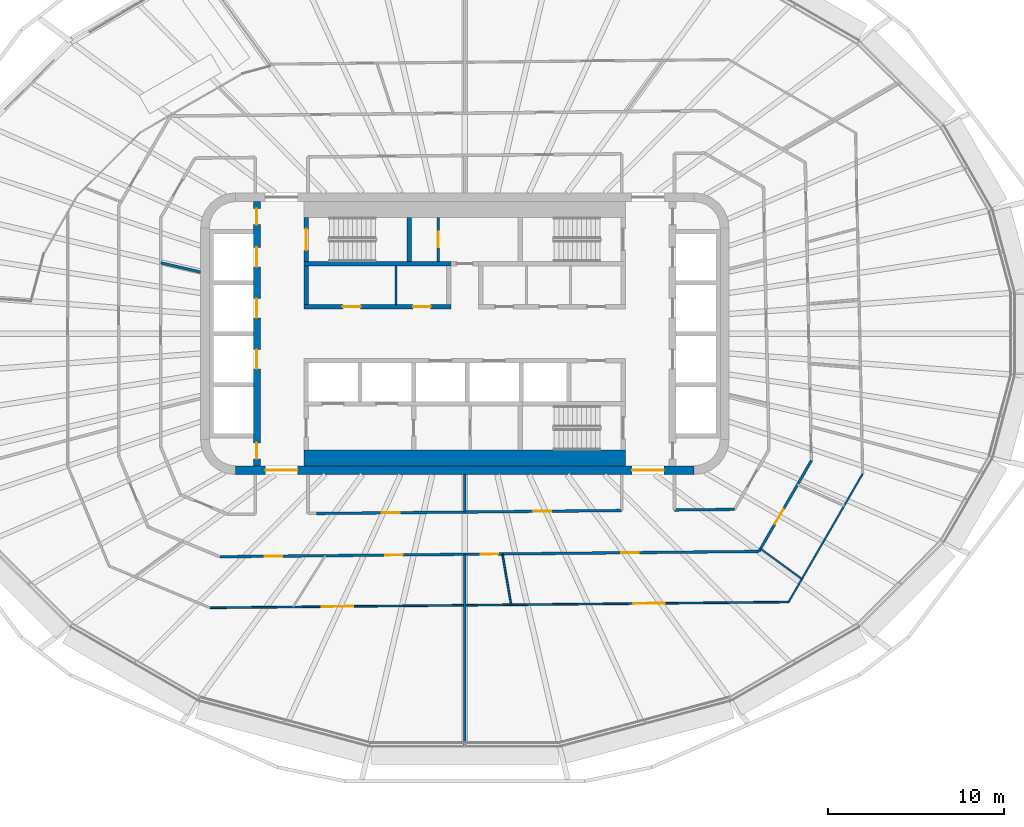
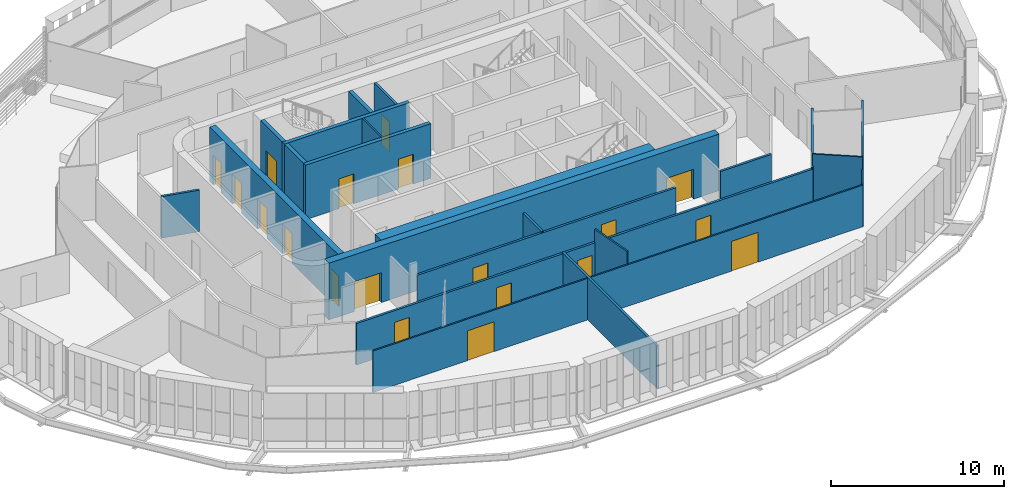
# One storey, part 12 of 23: 21 walls, 20 doors, 20 openings.
"""IFC4 building model written with IfcOpenShell, lengths in metres."""

from ifc_helpers import new_model, si_unit, direction, frame, frame_2d, origin, place, context, subcontext, project, spatial, rectangle, extrude, material, layer, layer_set, type_object, element, fill, save


model = new_model("IFC4")

# Units and contexts
model_context = context("Model", 3, precision=1e-05, world=origin(), true_north=direction((0.0, 1.0)))
body_context = subcontext(model_context, "Body", "Model", "MODEL_VIEW")
ifc_project = project(units=[si_unit("LENGTHUNIT", "METRE"), si_unit("AREAUNIT", "SQUARE_METRE"), si_unit("VOLUMEUNIT", "CUBIC_METRE"), si_unit("PLANEANGLEUNIT", "RADIAN"), si_unit("MASSUNIT", "GRAM", prefix="KILO")], contexts=[model_context])

# Site, building, storey
site_placement = place(None, origin())
site = spatial("IfcSite", under=ifc_project, at=site_placement, CompositionType="ELEMENT")
building_placement = place(site_placement, origin())
building = spatial("IfcBuilding", under=site, at=building_placement, Name="Sahrelin Media Tower", CompositionType="ELEMENT")
storey_placement = place(building_placement, frame((0.0, 0.0, 169.60009765625)))
storey = spatial("IfcBuildingStorey", under=building, at=storey_placement, Name="L35", CompositionType="ELEMENT", Elevation=169.60009765625)

# Wall, openings, doors
ifc_material_1 = material(Name="Concrete C60/75", Category="concrete")
ifc_layer_1 = layer(ifc_material_1, 0.5)
ifc_layer_set_1 = layer_set([ifc_layer_1], Name="Core wall 500")
wall_type_1 = type_object("IfcWallType", Name="Core wall 500", PredefinedType="SHEAR", material=ifc_layer_set_1)
wall_1_placement = place(storey_placement, frame((-13.0, -7.75, 0.0), z_axis=(0.0, 0.0, 1.0), x_axis=(1.0, 0.0, 0.0)))
wall_1 = element("IfcWall", 1, at=wall_1_placement, inside=storey, type_object=wall_type_1, Name="Core wall S L35", PredefinedType="SHEAR", context=body_context, shape_type="SweptSolid", body=[
    extrude(rectangle(XDim=26.0, YDim=0.5, at=frame_2d((13.0, 0.0))), origin(), (0.0, 0.0, 1.0), 4.0),
])
opening_1_placement = place(wall_1_placement, frame((1.699951171875, 0.0, 0.0)))
opening_1 = element("IfcOpeningElement", 2, at=opening_1_placement, cuts=wall_1, Name="Opening L35-D21", PredefinedType="OPENING", context=body_context, shape_type="SweptSolid", body=[
    extrude(rectangle(XDim=1.800048828125, YDim=2.10009765625, at=frame_2d((0.89990234375, 1.050048828125))), frame((0.0, 0.25, 0.0), z_axis=(0.0, -1.0, 0.0), x_axis=(1.0, 0.0, 0.0)), (0.0, 0.0, 1.0), 0.5),
])
opening_2_placement = place(wall_1_placement, frame((22.5, 0.0, 0.0)))
opening_2 = element("IfcOpeningElement", 3, at=opening_2_placement, cuts=wall_1, Name="Opening L35-D22", PredefinedType="OPENING", context=body_context, shape_type="SweptSolid", body=[
    extrude(rectangle(XDim=1.800048828125, YDim=2.10009765625, at=frame_2d((0.89990234375, 1.050048828125))), frame((0.0, 0.25, 0.0), z_axis=(0.0, -1.0, 0.0), x_axis=(1.0, 0.0, 0.0)), (0.0, 0.0, 1.0), 0.5),
])
ifc_material_2 = material(Name="Steel fire door leaf", Category="steel")
door_type_1 = type_object("IfcDoorType", Name="Lobby double door 1800 x 2100 EI 60", OperationType="DOUBLE_DOOR_SINGLE_SWING", PredefinedType="DOOR", material=ifc_material_2)
door_1_placement = place(opening_1_placement, origin())
door_1 = element("IfcDoor", 4, at=door_1_placement, inside=storey, type_object=door_type_1, Name="Lobby door", OperationType="DOUBLE_DOOR_SINGLE_SWING", OverallHeight=2.10009765625, OverallWidth=1.800048828125, PredefinedType="DOOR", context=body_context, shape_type="SweptSolid", body=[
    extrude(rectangle(XDim=1.800048828125, YDim=2.10009765625, at=frame_2d((0.89990234375, 1.050048828125))), frame((0.0, 0.02490234375, 0.0), z_axis=(0.0, -1.0, 0.0), x_axis=(1.0, 0.0, 0.0)), (0.0, 0.0, 1.0), 0.050048828125),
])
fill(opening_1, door_1)
door_2_placement = place(opening_2_placement, origin())
door_2 = element("IfcDoor", 5, at=door_2_placement, inside=storey, type_object=door_type_1, Name="Lobby door", OperationType="DOUBLE_DOOR_SINGLE_SWING", OverallHeight=2.10009765625, OverallWidth=1.800048828125, PredefinedType="DOOR", context=body_context, shape_type="SweptSolid", body=[
    extrude(rectangle(XDim=1.800048828125, YDim=2.10009765625, at=frame_2d((0.89990234375, 1.050048828125))), frame((0.0, 0.02490234375, 0.0), z_axis=(0.0, -1.0, 0.0), x_axis=(1.0, 0.0, 0.0)), (0.0, 0.0, 1.0), 0.050048828125),
])
fill(opening_2, door_2)

ifc_material_3 = material(Name="Fire-rated gypsum board partition")
ifc_layer_2 = layer(ifc_material_3, 0.25)
ifc_layer_set_2 = layer_set([ifc_layer_2], Name="Fire-rated lobby wall 250")
wall_type_2 = type_object("IfcWallType", Name="Fire-rated lobby wall 250", PredefinedType="PARTITIONING", material=ifc_layer_set_2)
wall_2_placement = place(storey_placement, frame((-9.125, 1.52490234375, 0.0), z_axis=(0.0, 0.0, 1.0), x_axis=(1.0, 0.0, 0.0)))
wall_2 = element("IfcWall", 6, at=wall_2_placement, inside=storey, type_object=wall_type_2, Name="Core lobby wall", PredefinedType="PARTITIONING", context=body_context, shape_type="SweptSolid", body=[
    extrude(rectangle(XDim=8.35009765625, YDim=0.25, at=frame_2d((4.175048828125, 0.0))), origin(), (0.0, 0.0, 1.0), 3.849853515625),
])
opening_3_placement = place(wall_2_placement, frame((2.21240234375, 0.0, 0.0)))
opening_3 = element("IfcOpeningElement", 7, at=opening_3_placement, cuts=wall_2, Name="Opening L35-D09", PredefinedType="OPENING", context=body_context, shape_type="SweptSolid", body=[
    extrude(rectangle(XDim=1.0, YDim=2.10009765625, at=frame_2d((0.5, 1.050048828125))), frame((0.0, 0.125, 0.0), z_axis=(0.0, -1.0, 0.0), x_axis=(1.0, 0.0, 0.0)), (0.0, 0.0, 1.0), 0.25),
])
opening_4_placement = place(wall_2_placement, frame((6.1875, 0.0, 0.0)))
opening_4 = element("IfcOpeningElement", 8, at=opening_4_placement, cuts=wall_2, Name="Opening L35-D10", PredefinedType="OPENING", context=body_context, shape_type="SweptSolid", body=[
    extrude(rectangle(XDim=1.0, YDim=2.10009765625, at=frame_2d((0.5, 1.050048828125))), frame((0.0, 0.125, 0.0), z_axis=(0.0, -1.0, 0.0), x_axis=(1.0, 0.0, 0.0)), (0.0, 0.0, 1.0), 0.25),
])
door_type_2 = type_object("IfcDoorType", Name="Fire door 1000 x 2100 EI 60", OperationType="NOTDEFINED", PredefinedType="DOOR", material=ifc_material_2)
door_3_placement = place(opening_3_placement, origin())
door_3 = element("IfcDoor", 9, at=door_3_placement, inside=storey, type_object=door_type_2, Name="Core room door", OperationType="SINGLE_SWING_LEFT", OverallHeight=2.10009765625, OverallWidth=1.0, PredefinedType="DOOR", context=body_context, shape_type="SweptSolid", body=[
    extrude(rectangle(XDim=1.0, YDim=2.10009765625, at=frame_2d((0.5, 1.050048828125))), frame((0.0, 0.02490234375, 0.0), z_axis=(0.0, -1.0, 0.0), x_axis=(1.0, 0.0, 0.0)), (0.0, 0.0, 1.0), 0.050048828125),
])
fill(opening_3, door_3)
door_4_placement = place(opening_4_placement, origin())
door_4 = element("IfcDoor", 10, at=door_4_placement, inside=storey, type_object=door_type_2, Name="Core room door", OperationType="SINGLE_SWING_LEFT", OverallHeight=2.10009765625, OverallWidth=1.0, PredefinedType="DOOR", context=body_context, shape_type="SweptSolid", body=[
    extrude(rectangle(XDim=1.0, YDim=2.10009765625, at=frame_2d((0.5, 1.050048828125))), frame((0.0, 0.02490234375, 0.0), z_axis=(0.0, -1.0, 0.0), x_axis=(1.0, 0.0, 0.0)), (0.0, 0.0, 1.0), 0.050048828125),
])
fill(opening_4, door_4)

# Walls
wall_3_placement = place(storey_placement, frame((-9.0, 1.64990234375, 0.0), z_axis=(0.0, 0.0, 1.0), x_axis=(0.0, 1.0, 0.0)))
element("IfcWall", 11, at=wall_3_placement, inside=storey, type_object=wall_type_2, Name="Core lobby wall", PredefinedType="PARTITIONING", context=body_context, shape_type="SweptSolid", body=[
    extrude(rectangle(XDim=2.2001953125, YDim=0.25, at=frame_2d((1.10009765625, 0.0))), origin(), (0.0, 0.0, 1.0), 3.849853515625),
])
ifc_layer_3 = layer(ifc_material_3, 0.10009765625)
ifc_layer_set_3 = layer_set([ifc_layer_3], Name="Fire-rated partition 100")
wall_type_3 = type_object("IfcWallType", Name="Fire-rated partition 100", PredefinedType="PARTITIONING", material=ifc_layer_set_3)
wall_4_placement = place(storey_placement, frame((-3.89990234375, 1.64990234375, 0.0), z_axis=(0.0, 0.0, 1.0), x_axis=(0.0, 1.0, 0.0)))
element("IfcWall", 12, at=wall_4_placement, inside=storey, type_object=wall_type_3, Name="Core room partition", PredefinedType="PARTITIONING", context=body_context, shape_type="SweptSolid", body=[
    extrude(rectangle(XDim=2.2001953125, YDim=0.10009765625, at=frame_2d((1.10009765625, 0.0))), origin(), (0.0, 0.0, 1.0), 3.849853515625),
])

# Wall, opening, door
ifc_layer_4 = layer(ifc_material_3, 0.14990234375)
ifc_layer_set_4 = layer_set([ifc_layer_4], Name="Fire-rated partition 150")
wall_type_4 = type_object("IfcWallType", Name="Fire-rated partition 150", PredefinedType="PARTITIONING", material=ifc_layer_set_4)
wall_5_placement = place(storey_placement, frame((-1.5, 4.10009765625, 0.0), z_axis=(0.0, 0.0, 1.0), x_axis=(0.0, 1.0, 0.0)))
wall_5 = element("IfcWall", 13, at=wall_5_placement, inside=storey, type_object=wall_type_4, Name="Core room fire partition", PredefinedType="PARTITIONING", context=body_context, shape_type="SweptSolid", body=[
    extrude(rectangle(XDim=2.5, YDim=0.14990234375, at=frame_2d((1.25, 0.0))), origin(), (0.0, 0.0, 1.0), 3.849853515625),
])
opening_5_placement = place(wall_5_placement, frame((0.800048828125, 0.0, 0.0)))
opening_5 = element("IfcOpeningElement", 14, at=opening_5_placement, cuts=wall_5, Name="Opening L35-D07", PredefinedType="OPENING", context=body_context, shape_type="SweptSolid", body=[
    extrude(rectangle(XDim=0.89990234375, YDim=2.10009765625, at=frame_2d((0.449951171875, 1.050048828125))), frame((0.0, 0.074951171875, 0.0), z_axis=(0.0, -1.0, 0.0), x_axis=(1.0, 0.0, 0.0)), (0.0, 0.0, 1.0), 0.14990234375),
])
door_type_3 = type_object("IfcDoorType", Name="Fire door 900 x 2100 EI 60", OperationType="NOTDEFINED", PredefinedType="DOOR", material=ifc_material_2)
door_5_placement = place(opening_5_placement, origin())
door_5 = element("IfcDoor", 15, at=door_5_placement, inside=storey, type_object=door_type_3, Name="Core room door", OperationType="SINGLE_SWING_LEFT", OverallHeight=2.10009765625, OverallWidth=0.89990234375, PredefinedType="DOOR", context=body_context, shape_type="SweptSolid", body=[
    extrude(rectangle(XDim=0.89990234375, YDim=2.10009765625, at=frame_2d((0.449951171875, 1.050048828125))), frame((0.0, 0.02490234375, 0.0), z_axis=(0.0, -1.0, 0.0), x_axis=(1.0, 0.0, 0.0)), (0.0, 0.0, 1.0), 0.050048828125),
])
fill(opening_5, door_5)

# Wall
wall_6_placement = place(storey_placement, frame((-17.25, 4.02392578125, 0.0), z_axis=(0.0, 0.0, 1.0), x_axis=(0.973873936825, -0.227089311007, 0.0)))
element("IfcWall", 16, at=wall_6_placement, inside=storey, type_object=wall_type_4, Name="Wall", PredefinedType="PARTITIONING", context=body_context, shape_type="SweptSolid", body=[
    extrude(rectangle(XDim=2.310302734375, YDim=0.14990234375, at=frame_2d((1.1552734375, 0.0))), origin(), (0.0, 0.0, 1.0), 2.927001953125),
])

# Wall, openings, doors
wall_7_placement = place(storey_placement, frame((-13.903076171875, -12.657470703125, 0.0), z_axis=(0.0, 0.0, 1.0), x_axis=(0.999951311207, 0.009867888089, 0.0)))
wall_7 = element("IfcWall", 17, at=wall_7_placement, inside=storey, type_object=wall_type_4, Name="Wall", PredefinedType="PARTITIONING", context=body_context, shape_type="SweptSolid", body=[
    extrude(rectangle(XDim=30.6044921875, YDim=0.14990234375, at=frame_2d((15.30224609375, 0.0))), origin(), (0.0, 0.0, 1.0), 2.927001953125),
])
opening_6_placement = place(wall_7_placement, frame((2.54443359375, 0.0, 0.0)))
opening_6 = element("IfcOpeningElement", 18, at=opening_6_placement, cuts=wall_7, Name="Opening L35-D34", PredefinedType="OPENING", context=body_context, shape_type="SweptSolid", body=[
    extrude(rectangle(XDim=1.0, YDim=2.10009765625, at=frame_2d((0.5, 1.050048828125))), frame((0.0, 0.074951171875, 0.0), z_axis=(0.0, -1.0, 0.0), x_axis=(1.0, 0.0, 0.0)), (0.0, 0.0, 1.0), 0.14990234375),
])
opening_7_placement = place(wall_7_placement, frame((9.393310546875, 0.0, 0.0)))
opening_7 = element("IfcOpeningElement", 19, at=opening_7_placement, cuts=wall_7, Name="Opening L35-D35", PredefinedType="OPENING", context=body_context, shape_type="SweptSolid", body=[
    extrude(rectangle(XDim=1.0, YDim=2.10009765625, at=frame_2d((0.5, 1.050048828125))), frame((0.0, 0.074951171875, 0.0), z_axis=(0.0, -1.0, 0.0), x_axis=(1.0, 0.0, 0.0)), (0.0, 0.0, 1.0), 0.14990234375),
])
opening_8_placement = place(wall_7_placement, frame((14.802001953125, 0.0, 0.0)))
opening_8 = element("IfcOpeningElement", 20, at=opening_8_placement, cuts=wall_7, Name="Opening L35-D37", PredefinedType="OPENING", context=body_context, shape_type="SweptSolid", body=[
    extrude(rectangle(XDim=1.0, YDim=2.10009765625, at=frame_2d((0.5, 1.050048828125))), frame((0.0, 0.074951171875, 0.0), z_axis=(0.0, -1.0, 0.0), x_axis=(1.0, 0.0, 0.0)), (0.0, 0.0, 1.0), 0.14990234375),
])
opening_9_placement = place(wall_7_placement, frame((22.771240234375, 0.0, 0.0)))
opening_9 = element("IfcOpeningElement", 21, at=opening_9_placement, cuts=wall_7, Name="Opening L35-D38", PredefinedType="OPENING", context=body_context, shape_type="SweptSolid", body=[
    extrude(rectangle(XDim=1.0, YDim=2.10009765625, at=frame_2d((0.5, 1.050048828125))), frame((0.0, 0.074951171875, 0.0), z_axis=(0.0, -1.0, 0.0), x_axis=(1.0, 0.0, 0.0)), (0.0, 0.0, 1.0), 0.14990234375),
])
door_6_placement = place(opening_6_placement, origin())
door_6 = element("IfcDoor", 22, at=door_6_placement, inside=storey, type_object=door_type_2, Name="Fire door", OperationType="SINGLE_SWING_RIGHT", OverallHeight=2.10009765625, OverallWidth=1.0, PredefinedType="DOOR", context=body_context, shape_type="SweptSolid", body=[
    extrude(rectangle(XDim=1.0, YDim=2.10009765625, at=frame_2d((0.5, 1.050048828125))), frame((0.0, 0.02490234375, 0.0), z_axis=(0.0, -1.0, 0.0), x_axis=(1.0, 0.0, 0.0)), (0.0, 0.0, 1.0), 0.050048828125),
])
fill(opening_6, door_6)
door_7_placement = place(opening_7_placement, origin())
door_7 = element("IfcDoor", 23, at=door_7_placement, inside=storey, type_object=door_type_2, Name="Fire door", OperationType="SINGLE_SWING_RIGHT", OverallHeight=2.10009765625, OverallWidth=1.0, PredefinedType="DOOR", context=body_context, shape_type="SweptSolid", body=[
    extrude(rectangle(XDim=1.0, YDim=2.10009765625, at=frame_2d((0.5, 1.050048828125))), frame((0.0, 0.02490234375, 0.0), z_axis=(0.0, -1.0, 0.0), x_axis=(1.0, 0.0, 0.0)), (0.0, 0.0, 1.0), 0.050048828125),
])
fill(opening_7, door_7)
door_8_placement = place(opening_8_placement, origin())
door_8 = element("IfcDoor", 24, at=door_8_placement, inside=storey, type_object=door_type_2, Name="Fire door", OperationType="SINGLE_SWING_RIGHT", OverallHeight=2.10009765625, OverallWidth=1.0, PredefinedType="DOOR", context=body_context, shape_type="SweptSolid", body=[
    extrude(rectangle(XDim=1.0, YDim=2.10009765625, at=frame_2d((0.5, 1.050048828125))), frame((0.0, 0.02490234375, 0.0), z_axis=(0.0, -1.0, 0.0), x_axis=(1.0, 0.0, 0.0)), (0.0, 0.0, 1.0), 0.050048828125),
])
fill(opening_8, door_8)
door_9_placement = place(opening_9_placement, origin())
door_9 = element("IfcDoor", 25, at=door_9_placement, inside=storey, type_object=door_type_2, Name="Fire door", OperationType="SINGLE_SWING_LEFT", OverallHeight=2.10009765625, OverallWidth=1.0, PredefinedType="DOOR", context=body_context, shape_type="SweptSolid", body=[
    extrude(rectangle(XDim=1.0, YDim=2.10009765625, at=frame_2d((0.5, 1.050048828125))), frame((0.0, 0.02490234375, 0.0), z_axis=(0.0, -1.0, 0.0), x_axis=(1.0, 0.0, 0.0)), (0.0, 0.0, 1.0), 0.050048828125),
])
fill(opening_9, door_9)

wall_8_placement = place(storey_placement, frame((-8.404052734375, -10.2041015625, 0.0), z_axis=(0.0, 0.0, 1.0), x_axis=(0.999951372491, 0.009861675993, 0.0)))
wall_8 = element("IfcWall", 26, at=wall_8_placement, inside=storey, type_object=wall_type_4, Name="Wall", PredefinedType="PARTITIONING", context=body_context, shape_type="SweptSolid", body=[
    extrude(rectangle(XDim=17.3046875, YDim=0.14990234375, at=frame_2d((8.65234375, 0.0))), origin(), (0.0, 0.0, 1.0), 2.927001953125),
])
opening_10_placement = place(wall_8_placement, frame((3.702392578125, 0.0, 0.0)))
opening_10 = element("IfcOpeningElement", 27, at=opening_10_placement, cuts=wall_8, Name="Opening L35-D23", PredefinedType="OPENING", context=body_context, shape_type="SweptSolid", body=[
    extrude(rectangle(XDim=1.0, YDim=2.10009765625, at=frame_2d((0.5, 1.050048828125))), frame((0.0, 0.074951171875, 0.0), z_axis=(0.0, -1.0, 0.0), x_axis=(1.0, 0.0, 0.0)), (0.0, 0.0, 1.0), 0.14990234375),
])
opening_11_placement = place(wall_8_placement, frame((12.304443359375, 0.0, 0.0)))
opening_11 = element("IfcOpeningElement", 28, at=opening_11_placement, cuts=wall_8, Name="Opening L35-D24", PredefinedType="OPENING", context=body_context, shape_type="SweptSolid", body=[
    extrude(rectangle(XDim=1.0, YDim=2.10009765625, at=frame_2d((0.5, 1.050048828125))), frame((0.0, 0.074951171875, 0.0), z_axis=(0.0, -1.0, 0.0), x_axis=(1.0, 0.0, 0.0)), (0.0, 0.0, 1.0), 0.14990234375),
])
door_10_placement = place(opening_10_placement, origin())
door_10 = element("IfcDoor", 29, at=door_10_placement, inside=storey, type_object=door_type_2, Name="Fire door", OperationType="SINGLE_SWING_RIGHT", OverallHeight=2.10009765625, OverallWidth=1.0, PredefinedType="DOOR", context=body_context, shape_type="SweptSolid", body=[
    extrude(rectangle(XDim=1.0, YDim=2.10009765625, at=frame_2d((0.5, 1.050048828125))), frame((0.0, 0.02490234375, 0.0), z_axis=(0.0, -1.0, 0.0), x_axis=(1.0, 0.0, 0.0)), (0.0, 0.0, 1.0), 0.050048828125),
])
fill(opening_10, door_10)
door_11_placement = place(opening_11_placement, origin())
door_11 = element("IfcDoor", 30, at=door_11_placement, inside=storey, type_object=door_type_2, Name="Fire door", OperationType="SINGLE_SWING_LEFT", OverallHeight=2.10009765625, OverallWidth=1.0, PredefinedType="DOOR", context=body_context, shape_type="SweptSolid", body=[
    extrude(rectangle(XDim=1.0, YDim=2.10009765625, at=frame_2d((0.5, 1.050048828125))), frame((0.0, 0.02490234375, 0.0), z_axis=(0.0, -1.0, 0.0), x_axis=(1.0, 0.0, 0.0)), (0.0, 0.0, 1.0), 0.050048828125),
])
fill(opening_11, door_11)

# Wall
wall_9_placement = place(storey_placement, frame((11.89990234375, -10.0029296875, 0.0), z_axis=(0.0, 0.0, 1.0), x_axis=(0.999951786456, 0.009819611121, 0.0)))
element("IfcWall", 31, at=wall_9_placement, inside=storey, type_object=wall_type_4, Name="Wall", PredefinedType="PARTITIONING", context=body_context, shape_type="SweptSolid", body=[
    extrude(rectangle(XDim=3.40625, YDim=0.14990234375, at=frame_2d((1.703125, 0.0))), origin(), (0.0, 0.0, 1.0), 2.994873046875),
])

# Wall, opening, door
wall_10_placement = place(storey_placement, frame((16.699951171875, -12.35498046875, 0.0), z_axis=(0.0, 0.0, 1.0), x_axis=(0.499651425435, 0.866226559891, 0.0)))
wall_10 = element("IfcWall", 32, at=wall_10_placement, inside=storey, type_object=wall_type_4, Name="Wall", PredefinedType="PARTITIONING", context=body_context, shape_type="SweptSolid", body=[
    extrude(rectangle(XDim=5.951416015625, YDim=0.14990234375, at=frame_2d((2.9755859375, 0.0))), origin(), (0.0, 0.0, 1.0), 2.994873046875),
])
opening_12_placement = place(wall_10_placement, frame((1.78564453125, 0.0, 0.0)))
opening_12 = element("IfcOpeningElement", 33, at=opening_12_placement, cuts=wall_10, Name="Opening L35-D39", PredefinedType="OPENING", context=body_context, shape_type="SweptSolid", body=[
    extrude(rectangle(XDim=1.0, YDim=2.10009765625, at=frame_2d((0.5, 1.050048828125))), frame((0.0, 0.074951171875, 0.0), z_axis=(0.0, -1.0, 0.0), x_axis=(1.0, 0.0, 0.0)), (0.0, 0.0, 1.0), 0.14990234375),
])
door_12_placement = place(opening_12_placement, origin())
door_12 = element("IfcDoor", 34, at=door_12_placement, inside=storey, type_object=door_type_2, Name="Fire door", OperationType="SINGLE_SWING_RIGHT", OverallHeight=2.10009765625, OverallWidth=1.0, PredefinedType="DOOR", context=body_context, shape_type="SweptSolid", body=[
    extrude(rectangle(XDim=1.0, YDim=2.10009765625, at=frame_2d((0.5, 1.050048828125))), frame((0.0, 0.02490234375, 0.0), z_axis=(0.0, -1.0, 0.0), x_axis=(1.0, 0.0, 0.0)), (0.0, 0.0, 1.0), 0.050048828125),
])
fill(opening_12, door_12)

# Walls
wall_11_placement = place(storey_placement, frame((0.0, -23.427978515625, 0.0), z_axis=(0.0, 0.0, 1.0), x_axis=(0.0, 1.0, 0.0)))
element("IfcWall", 35, at=wall_11_placement, inside=storey, type_object=wall_type_4, Name="Wall", PredefinedType="PARTITIONING", context=body_context, shape_type="SweptSolid", body=[
    extrude(rectangle(XDim=10.906982421875, YDim=0.14990234375, at=frame_2d((5.45361328125, 0.0))), origin(), (0.0, 0.0, 1.0), 2.994873046875),
])
wall_12_placement = place(storey_placement, frame((0.0, -10.12109375, 0.0), z_axis=(0.0, 0.0, 1.0), x_axis=(0.0, 1.0, 0.0)))
element("IfcWall", 36, at=wall_12_placement, inside=storey, type_object=wall_type_4, Name="Wall", PredefinedType="PARTITIONING", context=body_context, shape_type="SweptSolid", body=[
    extrude(rectangle(XDim=2.12109375, YDim=0.14990234375, at=frame_2d((1.060546875, 0.0))), origin(), (0.0, 0.0, 1.0), 2.994873046875),
])

# Wall, openings, doors
ifc_layer_5 = layer(ifc_material_1, 0.39990234375)
ifc_layer_set_5 = layer_set([ifc_layer_5], Name="Lift shaft wall 400")
wall_type_5 = type_object("IfcWallType", Name="Lift shaft wall 400", PredefinedType="SOLIDWALL", material=ifc_layer_set_5)
wall_13_placement = place(storey_placement, frame((-11.800048828125, -7.5, 0.0), z_axis=(0.0, 0.0, 1.0), x_axis=(0.0, 1.0, 0.0)))
wall_13 = element("IfcWall", 37, at=wall_13_placement, inside=storey, type_object=wall_type_5, Name="Lift shaft wall", PredefinedType="SOLIDWALL", context=body_context, shape_type="SweptSolid", body=[
    extrude(rectangle(XDim=15.0, YDim=0.39990234375, at=frame_2d((7.5, 0.0))), origin(), (0.0, 0.0, 1.0), 3.849853515625),
])
opening_13_placement = place(wall_13_placement, frame((11.300048828125, 0.0, 0.0)))
opening_13 = element("IfcOpeningElement", 38, at=opening_13_placement, cuts=wall_13, Name="Opening L35-LD-LR1", PredefinedType="OPENING", context=body_context, shape_type="SweptSolid", body=[
    extrude(rectangle(XDim=1.10009765625, YDim=2.10009765625, at=frame_2d((0.550048828125, 1.050048828125))), frame((0.0, 0.199951171875, 0.0), z_axis=(0.0, -1.0, 0.0), x_axis=(1.0, 0.0, 0.0)), (0.0, 0.0, 1.0), 0.39990234375),
])
opening_14_placement = place(wall_13_placement, frame((8.39990234375, 0.0, 0.0)))
opening_14 = element("IfcOpeningElement", 39, at=opening_14_placement, cuts=wall_13, Name="Opening L35-LD-LR2", PredefinedType="OPENING", context=body_context, shape_type="SweptSolid", body=[
    extrude(rectangle(XDim=1.10009765625, YDim=2.10009765625, at=frame_2d((0.550048828125, 1.050048828125))), frame((0.0, 0.199951171875, 0.0), z_axis=(0.0, -1.0, 0.0), x_axis=(1.0, 0.0, 0.0)), (0.0, 0.0, 1.0), 0.39990234375),
])
opening_15_placement = place(wall_13_placement, frame((5.5, 0.0, 0.0)))
opening_15 = element("IfcOpeningElement", 40, at=opening_15_placement, cuts=wall_13, Name="Opening L35-LD-LR3", PredefinedType="OPENING", context=body_context, shape_type="SweptSolid", body=[
    extrude(rectangle(XDim=1.10009765625, YDim=2.10009765625, at=frame_2d((0.550048828125, 1.050048828125))), frame((0.0, 0.199951171875, 0.0), z_axis=(0.0, -1.0, 0.0), x_axis=(1.0, 0.0, 0.0)), (0.0, 0.0, 1.0), 0.39990234375),
])
opening_16_placement = place(wall_13_placement, frame((13.696533203125, 0.0, 0.0)))
opening_16 = element("IfcOpeningElement", 41, at=opening_16_placement, cuts=wall_13, Name="Opening L35-D15", PredefinedType="OPENING", context=body_context, shape_type="SweptSolid", body=[
    extrude(rectangle(XDim=0.89990234375, YDim=2.10009765625, at=frame_2d((0.449951171875, 1.050048828125))), frame((0.0, 0.199951171875, 0.0), z_axis=(0.0, -1.0, 0.0), x_axis=(1.0, 0.0, 0.0)), (0.0, 0.0, 1.0), 0.39990234375),
])
opening_17_placement = place(wall_13_placement, frame((0.4033203125, 0.0, 0.0)))
opening_17 = element("IfcOpeningElement", 42, at=opening_17_placement, cuts=wall_13, Name="Opening L35-D16", PredefinedType="OPENING", context=body_context, shape_type="SweptSolid", body=[
    extrude(rectangle(XDim=0.89990234375, YDim=2.10009765625, at=frame_2d((0.449951171875, 1.050048828125))), frame((0.0, 0.199951171875, 0.0), z_axis=(0.0, -1.0, 0.0), x_axis=(1.0, 0.0, 0.0)), (0.0, 0.0, 1.0), 0.39990234375),
])
ifc_material_4 = material(Name="Stainless steel", Category="steel")
door_type_4 = type_object("IfcDoorType", Name="Lift landing door 1100 x 2100 EI 120", OperationType="DOUBLE_DOOR_SLIDING", PredefinedType="DOOR", material=ifc_material_4)
door_13_placement = place(opening_13_placement, origin())
door_13 = element("IfcDoor", 43, at=door_13_placement, inside=storey, type_object=door_type_4, Name="Lift landing door LR1", OperationType="DOUBLE_DOOR_SLIDING", OverallHeight=2.10009765625, OverallWidth=1.10009765625, PredefinedType="DOOR", context=body_context, shape_type="SweptSolid", body=[
    extrude(rectangle(XDim=1.10009765625, YDim=2.10009765625, at=frame_2d((0.550048828125, 1.050048828125))), frame((0.0, 0.02490234375, 0.0), z_axis=(0.0, -1.0, 0.0), x_axis=(1.0, 0.0, 0.0)), (0.0, 0.0, 1.0), 0.050048828125),
])
fill(opening_13, door_13)
door_14_placement = place(opening_14_placement, origin())
door_14 = element("IfcDoor", 44, at=door_14_placement, inside=storey, type_object=door_type_4, Name="Lift landing door LR2", OperationType="DOUBLE_DOOR_SLIDING", OverallHeight=2.10009765625, OverallWidth=1.10009765625, PredefinedType="DOOR", context=body_context, shape_type="SweptSolid", body=[
    extrude(rectangle(XDim=1.10009765625, YDim=2.10009765625, at=frame_2d((0.550048828125, 1.050048828125))), frame((0.0, 0.02490234375, 0.0), z_axis=(0.0, -1.0, 0.0), x_axis=(1.0, 0.0, 0.0)), (0.0, 0.0, 1.0), 0.050048828125),
])
fill(opening_14, door_14)
door_15_placement = place(opening_15_placement, origin())
door_15 = element("IfcDoor", 45, at=door_15_placement, inside=storey, type_object=door_type_4, Name="Lift landing door LR3", OperationType="DOUBLE_DOOR_SLIDING", OverallHeight=2.10009765625, OverallWidth=1.10009765625, PredefinedType="DOOR", context=body_context, shape_type="SweptSolid", body=[
    extrude(rectangle(XDim=1.10009765625, YDim=2.10009765625, at=frame_2d((0.550048828125, 1.050048828125))), frame((0.0, 0.02490234375, 0.0), z_axis=(0.0, -1.0, 0.0), x_axis=(1.0, 0.0, 0.0)), (0.0, 0.0, 1.0), 0.050048828125),
])
fill(opening_15, door_15)
door_type_5 = type_object("IfcDoorType", Name="Riser door 900 x 2100 EI 120", OperationType="NOTDEFINED", PredefinedType="DOOR", material=ifc_material_2)
door_16_placement = place(opening_16_placement, origin())
door_16 = element("IfcDoor", 46, at=door_16_placement, inside=storey, type_object=door_type_5, Name="Riser door", OperationType="SINGLE_SWING_LEFT", OverallHeight=2.10009765625, OverallWidth=0.89990234375, PredefinedType="DOOR", context=body_context, shape_type="SweptSolid", body=[
    extrude(rectangle(XDim=0.89990234375, YDim=2.10009765625, at=frame_2d((0.449951171875, 1.050048828125))), frame((0.0, 0.02490234375, 0.0), z_axis=(0.0, -1.0, 0.0), x_axis=(1.0, 0.0, 0.0)), (0.0, 0.0, 1.0), 0.050048828125),
])
fill(opening_16, door_16)
door_17_placement = place(opening_17_placement, origin())
door_17 = element("IfcDoor", 47, at=door_17_placement, inside=storey, type_object=door_type_5, Name="Riser door", OperationType="SINGLE_SWING_LEFT", OverallHeight=2.10009765625, OverallWidth=0.89990234375, PredefinedType="DOOR", context=body_context, shape_type="SweptSolid", body=[
    extrude(rectangle(XDim=0.89990234375, YDim=2.10009765625, at=frame_2d((0.449951171875, 1.050048828125))), frame((0.0, 0.02490234375, 0.0), z_axis=(0.0, -1.0, 0.0), x_axis=(1.0, 0.0, 0.0)), (0.0, 0.0, 1.0), 0.050048828125),
])
fill(opening_17, door_17)

# Walls
ifc_material_5 = material(Name="Gypsum board partition")
ifc_layer_6 = layer(ifc_material_5, 0.10009765625)
ifc_layer_set_6 = layer_set([ifc_layer_6], Name="Partition 100")
wall_type_6 = type_object("IfcWallType", Name="Partition 100", PredefinedType="PARTITIONING", material=ifc_layer_set_6)
wall_14_placement = place(storey_placement, frame((2.136962890625, -12.5, 0.0), z_axis=(0.0, 0.0, 1.0), x_axis=(0.16882027801, -0.985646850415, 0.0)))
element("IfcWall", 48, at=wall_14_placement, inside=storey, type_object=wall_type_6, Name="Wall", PredefinedType="PARTITIONING", context=body_context, shape_type="SweptSolid", body=[
    extrude(rectangle(XDim=2.927001953125, YDim=0.10009765625, at=frame_2d((1.46337890625, 0.0))), origin(), (0.0, 0.0, 1.0), 3.849853515625),
])
wall_15_placement = place(storey_placement, frame((16.784912109375, -12.20703125, 0.0), z_axis=(0.0, 0.0, 1.0), x_axis=(0.808881349984, -0.587971905492, 0.0)))
element("IfcWall", 49, at=wall_15_placement, inside=storey, type_object=wall_type_6, Name="Wall", PredefinedType="PARTITIONING", context=body_context, shape_type="SweptSolid", body=[
    extrude(rectangle(XDim=2.906494140625, YDim=0.10009765625, at=frame_2d((1.453125, 0.0))), origin(), (0.0, 0.0, 1.0), 3.849853515625),
])

# Wall, openings, doors
wall_16_placement = place(storey_placement, frame((-14.464111328125, -15.554931640625, 0.0), z_axis=(0.0, 0.0, 1.0), x_axis=(0.999950390242, 0.009960775811, 0.0)))
wall_16 = element("IfcWall", 50, at=wall_16_placement, inside=storey, type_object=wall_type_6, Name="Wall", PredefinedType="PARTITIONING", context=body_context, shape_type="SweptSolid", body=[
    extrude(rectangle(XDim=32.84375, YDim=0.10009765625, at=frame_2d((16.421875, 0.0))), origin(), (0.0, 0.0, 1.0), 2.927001953125),
])
opening_18_placement = place(wall_16_placement, frame((6.33251953125, 0.0, 0.0)))
opening_18 = element("IfcOpeningElement", 51, at=opening_18_placement, cuts=wall_16, Name="Opening L35-D36", PredefinedType="OPENING", context=body_context, shape_type="SweptSolid", body=[
    extrude(rectangle(XDim=1.800048828125, YDim=2.10009765625, at=frame_2d((0.89990234375, 1.050048828125))), frame((0.0, 0.050048828125, 0.0), z_axis=(0.0, -1.0, 0.0), x_axis=(1.0, 0.0, 0.0)), (0.0, 0.0, 1.0), 0.10009765625),
])
opening_19_placement = place(wall_16_placement, frame((24.019287109375, 0.0, 0.0)))
opening_19 = element("IfcOpeningElement", 52, at=opening_19_placement, cuts=wall_16, Name="Opening L35-D41", PredefinedType="OPENING", context=body_context, shape_type="SweptSolid", body=[
    extrude(rectangle(XDim=1.800048828125, YDim=2.10009765625, at=frame_2d((0.89990234375, 1.050048828125))), frame((0.0, 0.050048828125, 0.0), z_axis=(0.0, -1.0, 0.0), x_axis=(1.0, 0.0, 0.0)), (0.0, 0.0, 1.0), 0.10009765625),
])
ifc_material_6 = material(Name="Timber door leaf", Category="wood")
door_type_6 = type_object("IfcDoorType", Name="Double door 1800 x 2100", OperationType="DOUBLE_DOOR_SINGLE_SWING", PredefinedType="DOOR", material=ifc_material_6)
door_18_placement = place(opening_18_placement, origin())
door_18 = element("IfcDoor", 53, at=door_18_placement, inside=storey, type_object=door_type_6, Name="Double door", OperationType="DOUBLE_DOOR_SINGLE_SWING", OverallHeight=2.10009765625, OverallWidth=1.800048828125, PredefinedType="DOOR", context=body_context, shape_type="SweptSolid", body=[
    extrude(rectangle(XDim=1.800048828125, YDim=2.10009765625, at=frame_2d((0.89990234375, 1.050048828125))), frame((0.0, 0.02490234375, 0.0), z_axis=(0.0, -1.0, 0.0), x_axis=(1.0, 0.0, 0.0)), (0.0, 0.0, 1.0), 0.050048828125),
])
fill(opening_18, door_18)
door_19_placement = place(opening_19_placement, origin())
door_19 = element("IfcDoor", 54, at=door_19_placement, inside=storey, type_object=door_type_6, Name="Double door", OperationType="DOUBLE_DOOR_SINGLE_SWING", OverallHeight=2.10009765625, OverallWidth=1.800048828125, PredefinedType="DOOR", context=body_context, shape_type="SweptSolid", body=[
    extrude(rectangle(XDim=1.800048828125, YDim=2.10009765625, at=frame_2d((0.89990234375, 1.050048828125))), frame((0.0, 0.02490234375, 0.0), z_axis=(0.0, -1.0, 0.0), x_axis=(1.0, 0.0, 0.0)), (0.0, 0.0, 1.0), 0.050048828125),
])
fill(opening_19, door_19)

# Wall
wall_17_placement = place(storey_placement, frame((18.3779296875, -15.22802734375, 0.0), z_axis=(0.0, 0.0, 1.0), x_axis=(0.50019921462, 0.865910356615, 0.0)))
element("IfcWall", 55, at=wall_17_placement, inside=storey, type_object=wall_type_6, Name="Wall", PredefinedType="PARTITIONING", context=body_context, shape_type="SweptSolid", body=[
    extrude(rectangle(XDim=8.40673828125, YDim=0.10009765625, at=frame_2d((4.203369140625, 0.0))), origin(), (0.0, 0.0, 1.0), 2.994873046875),
])

# Wall, opening, door
ifc_layer_7 = layer(ifc_material_1, 0.25)
ifc_layer_set_7 = layer_set([ifc_layer_7], Name="Stair enclosure wall 250")
wall_type_7 = type_object("IfcWallType", Name="Stair enclosure wall 250", PredefinedType="SOLIDWALL", material=ifc_layer_set_7)
wall_18_placement = place(storey_placement, frame((-9.0, 4.10009765625, 0.0), z_axis=(0.0, 0.0, 1.0), x_axis=(0.0, 1.0, 0.0)))
wall_18 = element("IfcWall", 56, at=wall_18_placement, inside=storey, type_object=wall_type_7, Name="Stair enclosure wall", PredefinedType="SOLIDWALL", context=body_context, shape_type="SweptSolid", body=[
    extrude(rectangle(XDim=2.5, YDim=0.25, at=frame_2d((1.25, 0.0))), origin(), (0.0, 0.0, 1.0), 3.849853515625),
])
opening_20_placement = place(wall_18_placement, frame((0.64990234375, 0.0, 0.0)))
opening_20 = element("IfcOpeningElement", 57, at=opening_20_placement, cuts=wall_18, Name="Opening L35-D01", PredefinedType="OPENING", context=body_context, shape_type="SweptSolid", body=[
    extrude(rectangle(XDim=1.199951171875, YDim=2.10009765625, at=frame_2d((0.60009765625, 1.050048828125))), frame((0.0, 0.125, 0.0), z_axis=(0.0, -1.0, 0.0), x_axis=(1.0, 0.0, 0.0)), (0.0, 0.0, 1.0), 0.25),
])
door_type_7 = type_object("IfcDoorType", Name="Stair door 1200 x 2100 EI 120", OperationType="NOTDEFINED", PredefinedType="DOOR", material=ifc_material_2)
door_20_placement = place(opening_20_placement, origin())
door_20 = element("IfcDoor", 58, at=door_20_placement, inside=storey, type_object=door_type_7, Name="Stair door ST1", OperationType="SINGLE_SWING_RIGHT", OverallHeight=2.10009765625, OverallWidth=1.199951171875, PredefinedType="DOOR", context=body_context, shape_type="SweptSolid", body=[
    extrude(rectangle(XDim=1.199951171875, YDim=2.10009765625, at=frame_2d((0.60009765625, 1.050048828125))), frame((0.0, 0.02490234375, 0.0), z_axis=(0.0, -1.0, 0.0), x_axis=(1.0, 0.0, 0.0)), (0.0, 0.0, 1.0), 0.050048828125),
])
fill(opening_20, door_20)

# Walls
wall_19_placement = place(storey_placement, frame((-3.14990234375, 4.10009765625, 0.0), z_axis=(0.0, 0.0, 1.0), x_axis=(0.0, 1.0, 0.0)))
element("IfcWall", 59, at=wall_19_placement, inside=storey, type_object=wall_type_7, Name="Stair enclosure wall", PredefinedType="SOLIDWALL", context=body_context, shape_type="SweptSolid", body=[
    extrude(rectangle(XDim=2.5, YDim=0.25, at=frame_2d((1.25, 0.0))), origin(), (0.0, 0.0, 1.0), 3.849853515625),
])
wall_20_placement = place(storey_placement, frame((-9.125, 3.97509765625, 0.0), z_axis=(0.0, 0.0, 1.0), x_axis=(1.0, 0.0, 0.0)))
element("IfcWall", 60, at=wall_20_placement, inside=storey, type_object=wall_type_7, Name="Stair enclosure wall", PredefinedType="SOLIDWALL", context=body_context, shape_type="SweptSolid", body=[
    extrude(rectangle(XDim=8.35009765625, YDim=0.25, at=frame_2d((4.175048828125, 0.0))), origin(), (0.0, 0.0, 1.0), 3.849853515625),
])
ifc_layer_8 = layer(ifc_material_1, 0.89990234375)
ifc_layer_set_8 = layer_set([ifc_layer_8], Name="Stair enclosure wall 900")
wall_type_8 = type_object("IfcWallType", Name="Stair enclosure wall 900", PredefinedType="SOLIDWALL", material=ifc_layer_set_8)
wall_21_placement = place(storey_placement, frame((-9.125, -7.050048828125, 0.0), z_axis=(0.0, 0.0, 1.0), x_axis=(1.0, 0.0, 0.0)))
element("IfcWall", 61, at=wall_21_placement, inside=storey, type_object=wall_type_8, Name="Stair enclosure wall", PredefinedType="SOLIDWALL", context=body_context, shape_type="SweptSolid", body=[
    extrude(rectangle(XDim=18.25, YDim=0.89990234375, at=frame_2d((9.125, 0.0))), origin(), (0.0, 0.0, 1.0), 3.849853515625),
])

save(model, "model.ifc")
